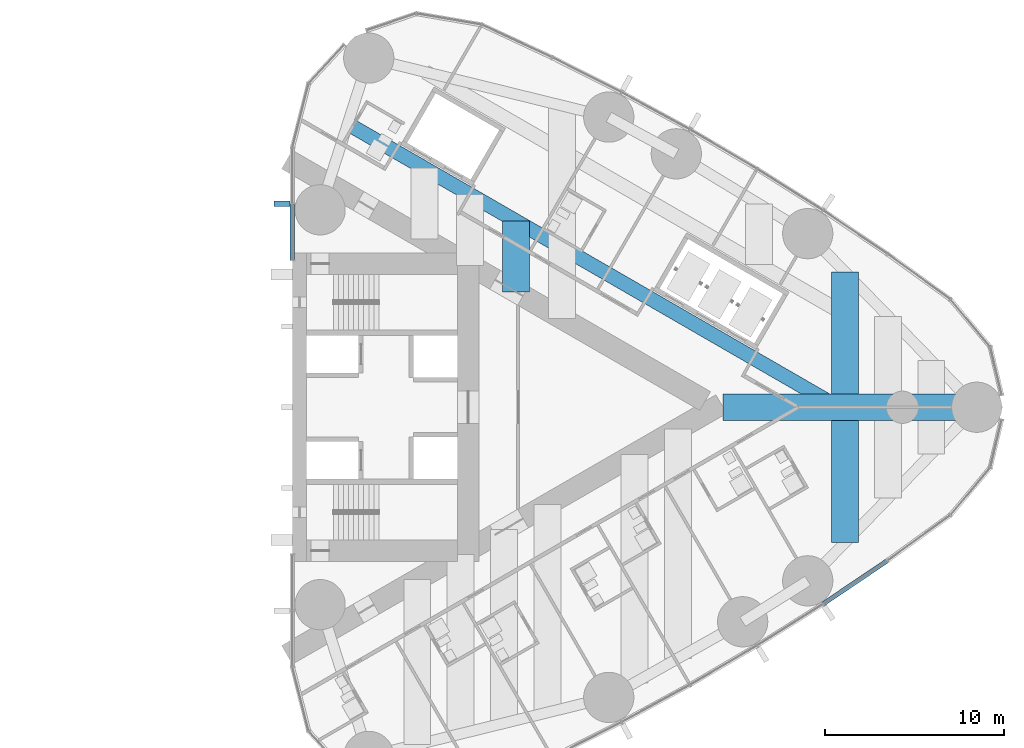
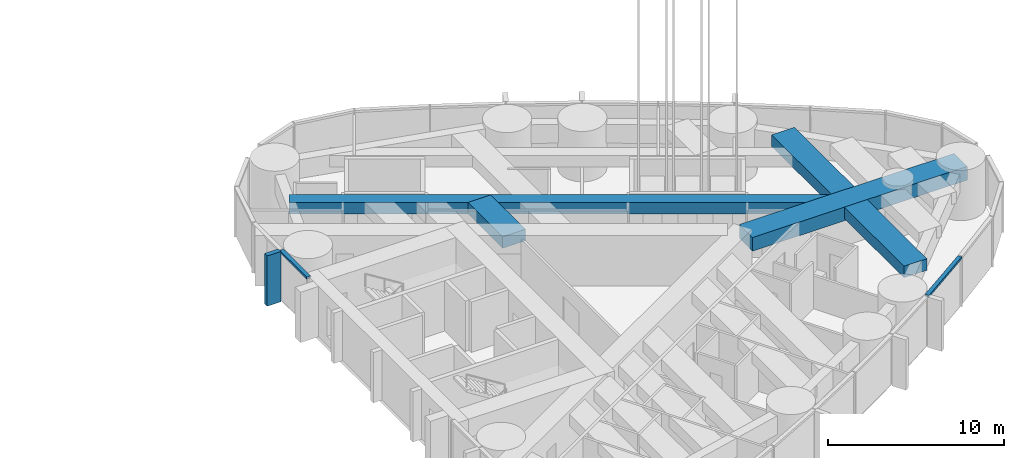
# One storey, part 7 of 21: 5 beams, 3 members, 2 elements without a shape of their own.
"""IFC4 building model written with IfcOpenShell, lengths in metres."""

from ifc_helpers import new_model, si_unit, direction, frame, origin, origin_2d, place, context, subcontext, project, spatial, rectangle, hollow_rectangle, extrude, material, material_profile, profile_set, type_object, element, aggregate, save


model = new_model("IFC4")

# Units and contexts
model_context = context("Model", 3, precision=1e-05, world=origin(), true_north=direction((0.0, 1.0)))
body_context = subcontext(model_context, "Body", "Model", "MODEL_VIEW")
ifc_project = project(units=[si_unit("LENGTHUNIT", "METRE"), si_unit("AREAUNIT", "SQUARE_METRE"), si_unit("VOLUMEUNIT", "CUBIC_METRE"), si_unit("PLANEANGLEUNIT", "RADIAN"), si_unit("MASSUNIT", "GRAM", prefix="KILO")], contexts=[model_context])

# Site, building, storey
site_placement = place(None, origin())
site = spatial("IfcSite", under=ifc_project, at=site_placement, CompositionType="ELEMENT")
building_placement = place(site_placement, origin())
building = spatial("IfcBuilding", under=site, at=building_placement, Name="Lancet Gate Hotel", CompositionType="ELEMENT")
storey_placement = place(building_placement, frame((0.0, 0.0, 156.300048828125)))
storey = spatial("IfcBuildingStorey", under=building, at=storey_placement, Name="L41", CompositionType="ELEMENT", Elevation=156.300048828125)

# Curtain wall, member
ifc_material_1 = material(Name="Aluminium curtain wall", Category="aluminium")
curtain_wall_type = type_object("IfcCurtainWallType", Name="Tower unitised curtain wall", PredefinedType="USERDEFINED", material=ifc_material_1)
curtain_wall_1_placement = place(storey_placement, origin())
curtain_wall_1 = element("IfcCurtainWall", 1, at=curtain_wall_1_placement, inside=storey, type_object=curtain_wall_type, Name="T2 L41 curtain wall 2", ObjectType="UNITISED CURTAIN WALL", PredefinedType="USERDEFINED")
ifc_material_2 = material(Name="Aluminium transom", Category="aluminium")
ifc_material_profile_1 = material_profile(ifc_material_2, rectangle(XDim=0.25, YDim=0.14990234375, at=origin_2d()), Name="TRANSOM 250x150")
ifc_profile_set_1 = profile_set([ifc_material_profile_1], Name="Aluminium transom")
member_type_1 = type_object("IfcMemberType", Name="Aluminium transom 250x150", PredefinedType="USERDEFINED", material=ifc_profile_set_1)
member_1_placement = place(storey_placement, frame((57.093994140625, -10.952880859375, 3.425048828125), z_axis=(0.829046850689, 0.559179147826, 0.0), x_axis=(-0.559179147826, 0.829046850689, 0.0)))
member_1 = element("IfcMember", 2, at=member_1_placement, type_object=member_type_1, Name="T2 L41 curtain wall 2 transom 8", ObjectType="TRANSOM", PredefinedType="USERDEFINED", context=body_context, shape_type="SweptSolid", body=[
    extrude(rectangle(XDim=0.25, YDim=0.14990234375, at=origin_2d()), origin(), (0.0, 0.0, 1.0), 4.26904296875),
])
aggregate(curtain_wall_1, [member_1])

# Curtain wall, members
curtain_wall_2_placement = place(storey_placement, origin())
curtain_wall_2 = element("IfcCurtainWall", 3, at=curtain_wall_2_placement, inside=storey, type_object=curtain_wall_type, Name="T2 L41 curtain wall 4", ObjectType="UNITISED CURTAIN WALL", PredefinedType="USERDEFINED")
member_2_placement = place(storey_placement, frame((27.5, 11.30029296875, 3.425048828125), z_axis=(0.0, -1.0, 0.0), x_axis=(1.0, 0.0, 0.0)))
member_2 = element("IfcMember", 4, at=member_2_placement, type_object=member_type_1, Name="T2 L41 curtain wall 4 transom 4", ObjectType="TRANSOM", PredefinedType="USERDEFINED", context=body_context, shape_type="SweptSolid", body=[
    extrude(rectangle(XDim=0.25, YDim=0.14990234375, at=origin_2d()), origin(), (0.0, 0.0, 1.0), 3.06787109375),
])
ifc_material_3 = material(Name="Precast concrete C50/60", Category="concrete")
ifc_material_profile_2 = material_profile(ifc_material_3, rectangle(XDim=0.300048828125, YDim=0.89990234375, at=origin_2d()), Name="FIN 300x900")
ifc_profile_set_2 = profile_set([ifc_material_profile_2], Name="Precast concrete C50/60")
member_type_2 = type_object("IfcMemberType", Name="Exposed concrete fin 300x900", PredefinedType="USERDEFINED", material=ifc_profile_set_2)
member_3_placement = place(storey_placement, frame((26.925048828125, 11.332763671875, 0.0), z_axis=(0.0, 0.0, 1.0), x_axis=(0.0, -1.0, 0.0)))
member_3 = element("IfcMember", 5, at=member_3_placement, type_object=member_type_2, Name="T2 L41 curtain wall 4 fin 4", ObjectType="FIN", PredefinedType="USERDEFINED", context=body_context, shape_type="SweptSolid", body=[
    extrude(rectangle(XDim=0.300048828125, YDim=0.89990234375, at=origin_2d()), origin(), (0.0, 0.0, 1.0), 3.5),
])
aggregate(curtain_wall_2, [member_3, member_2])

# Beams
ifc_material_4 = material(Name="Concrete C50/60", Category="concrete")
ifc_material_profile_3 = material_profile(ifc_material_4, rectangle(XDim=1.5, YDim=0.800048828125, at=origin_2d()), Name="RC 1500x800")
ifc_profile_set_3 = profile_set([ifc_material_profile_3], Name="Concrete C50/60")
beam_type_1 = type_object("IfcBeamType", Name="Floor beam RC 1500x800", PredefinedType="BEAM", material=ifc_profile_set_3)
for number, where, z_axis, x_axis, name in (
    (6, (58.30224609375, -7.534912109375, 2.849853515625), (0.0, 1.0, 0.0), (-1.0, 0.0, 0.0), "T2 floor beam F12S L41"),
    (7, (58.30224609375, 0.75, 2.849853515625), (0.0, 1.0, 0.0), (-1.0, 0.0, 0.0), "T2 floor beam F13N L41"),
):
    element("IfcBeam", number, at=place(storey_placement, frame(where, z_axis=z_axis, x_axis=x_axis)), inside=storey, type_object=beam_type_1, Name=name, PredefinedType="BEAM", context=body_context, shape_type="SweptSolid", body=[
        extrude(rectangle(XDim=1.5, YDim=0.800048828125, at=origin_2d()), origin(), (0.0, 0.0, 1.0), 6.784912109375),
    ])
beam_1_placement = place(storey_placement, frame((39.9658203125, 6.429443359375, 2.849853515625), z_axis=(0.0, 1.0, 0.0), x_axis=(-1.0, 0.0, 0.0)))
element("IfcBeam", 8, at=beam_1_placement, inside=storey, type_object=beam_type_1, Name="T2 floor beam F06NA L41", PredefinedType="BEAM", context=body_context, shape_type="SweptSolid", body=[
    extrude(rectangle(XDim=1.5, YDim=0.800048828125, at=origin_2d()), origin(), (0.0, 0.0, 1.0), 3.9453125),
])
ifc_material_5 = material(Name="Concrete C50/60", Category="concrete")
ifc_material_profile_4 = material_profile(ifc_material_5, rectangle(XDim=1.5, YDim=0.949951171875, at=origin_2d()), Name="RC 1500x950")
ifc_profile_set_4 = profile_set([ifc_material_profile_4], Name="Concrete C50/60")
beam_type_2 = type_object("IfcBeamType", Name="Radial floor beam RC 1500x950", PredefinedType="BEAM", material=ifc_profile_set_4)
beam_2_placement = place(storey_placement, frame((65.6396484375, 0.0, 2.77490234375), z_axis=(-1.0, 0.0, 0.0), x_axis=(0.0, -1.0, 0.0)))
element("IfcBeam", 9, at=beam_2_placement, inside=storey, type_object=beam_type_2, Name="T2 radial beam CA L41", PredefinedType="BEAM", context=body_context, shape_type="SweptSolid", body=[
    extrude(rectangle(XDim=1.5, YDim=0.949951171875, at=origin_2d()), origin(), (0.0, 0.0, 1.0), 14.137451171875),
])
ifc_material_6 = material(Name="Steel S460QL", Category="steel")
ifc_material_profile_5 = material_profile(ifc_material_6, hollow_rectangle(XDim=0.800048828125, YDim=0.800048828125, WallThickness=0.080078125, at=origin_2d()), Name="BOX 800x800x80")
ifc_profile_set_5 = profile_set([ifc_material_profile_5], Name="Steel S460QL")
beam_type_3 = type_object("IfcBeamType", Name="Trimmer beam BOX 800x800x80", PredefinedType="BEAM", material=ifc_profile_set_5)
beam_3_placement = place(storey_placement, frame((30.585693359375, 15.79248046875, 2.849853515625), z_axis=(0.865995565543, -0.50005167779, 0.0), x_axis=(0.50005167779, 0.865995565543, 0.0)))
element("IfcBeam", 10, at=beam_3_placement, inside=storey, type_object=beam_type_3, Name="T2 trimmer beam TR01N L41", PredefinedType="BEAM", context=body_context, shape_type="SweptSolid", body=[
    extrude(hollow_rectangle(XDim=0.800048828125, YDim=0.800048828125, WallThickness=0.080078125, at=origin_2d()), origin(), (0.0, 0.0, 1.0), 31.581787109375),
])

save(model, "model.ifc")
